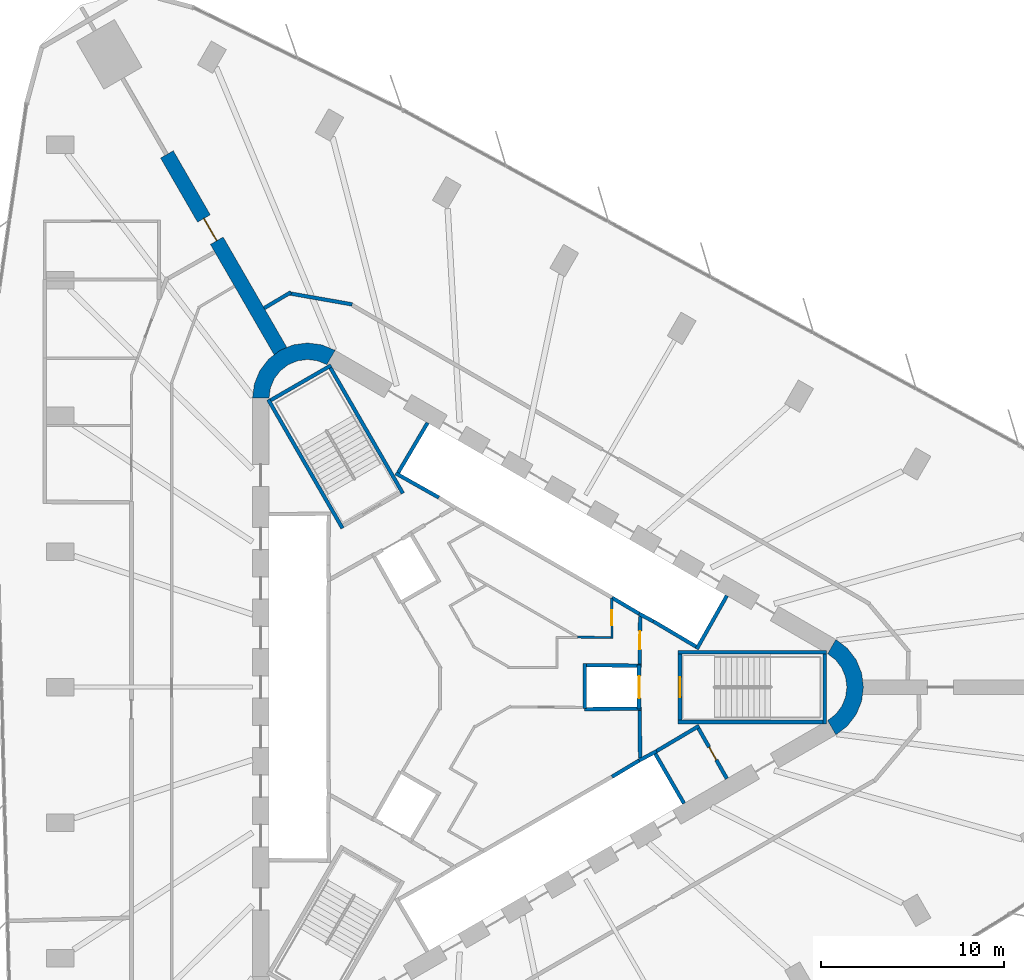
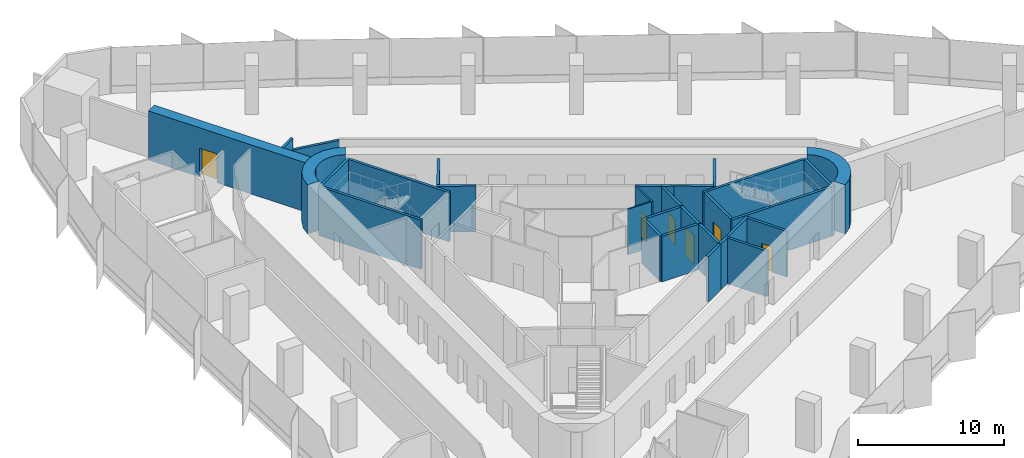
# One storey, part 11 of 14: 31 walls, 6 doors, 6 openings.
"""IFC4 building model written with IfcOpenShell, lengths in metres."""

from ifc_helpers import new_model, si_unit, direction, frame, frame_2d, origin, place, context, subcontext, project, spatial, polyline, rectangle, outline, extrude, material, layer, layer_set, type_object, element, fill, save


model = new_model("IFC4")

# Units and contexts
model_context = context("Model", 3, precision=1e-05, world=origin(), true_north=direction((0.0, 1.0)))
body_context = subcontext(model_context, "Body", "Model", "MODEL_VIEW")
ifc_project = project(units=[si_unit("LENGTHUNIT", "METRE"), si_unit("AREAUNIT", "SQUARE_METRE"), si_unit("VOLUMEUNIT", "CUBIC_METRE"), si_unit("PLANEANGLEUNIT", "RADIAN"), si_unit("MASSUNIT", "GRAM", prefix="KILO")], contexts=[model_context])

# Site, building, storey
site_placement = place(None, origin())
site = spatial("IfcSite", under=ifc_project, at=site_placement, CompositionType="ELEMENT")
building_placement = place(site_placement, origin())
building = spatial("IfcBuilding", under=site, at=building_placement, Name="Tanit Gate Tower", CompositionType="ELEMENT")
storey_placement = place(building_placement, frame((0.0, 0.0, 148.0)))
storey = spatial("IfcBuildingStorey", under=building, at=storey_placement, Name="L32", CompositionType="ELEMENT", Elevation=148.0)

# Wall, opening, door
ifc_material_1 = material(Name="Concrete C60/75", Category="concrete")
ifc_layer_1 = layer(ifc_material_1, 0.800048828125)
ifc_layer_set_1 = layer_set([ifc_layer_1], Name="BUTTRESS FIN 800 C60/75")
wall_type_1 = type_object("IfcWallType", Name="BUTTRESS FIN 800 C60/75", PredefinedType="SHEAR", material=ifc_layer_set_1)
wall_1_placement = place(storey_placement, frame((-10.574951171875, 18.31640625, 0.0), z_axis=(0.0, 0.0, 1.0), x_axis=(-0.500002326941, 0.86602406032, 0.0)))
wall_1 = element("IfcWall", 1, at=wall_1_placement, inside=storey, type_object=wall_type_1, Name="BUTTRESS FIN", PredefinedType="SHEAR", context=body_context, shape_type="SweptSolid", body=[
    extrude(rectangle(XDim=12.3837890625, YDim=0.800048828125, at=frame_2d((6.19189453125, 0.0))), origin(), (0.0, 0.0, 1.0), 4.10009765625),
])
opening_1_placement = place(wall_1_placement, frame((6.949951171875, 0.0, 0.0)))
opening_1 = element("IfcOpeningElement", 2, at=opening_1_placement, cuts=wall_1, Name="Opening P14-S08-F-NW-1", PredefinedType="OPENING", context=body_context, shape_type="SweptSolid", body=[
    extrude(rectangle(XDim=1.39990234375, YDim=2.39990234375, at=frame_2d((0.699951171875, 1.199951171875))), frame((0.0, 0.41015625, 0.0), z_axis=(0.0, -1.0, 0.0), x_axis=(1.0, 0.0, 0.0)), (0.0, 0.0, 1.0), 0.820068359375),
])
ifc_material_2 = material(Name="Timber door leaf", Category="wood")
door_type_1 = type_object("IfcDoorType", Name="INT-DOOR-FIN-PAIR-1400", OperationType="NOTDEFINED", PredefinedType="NOTDEFINED", material=ifc_material_2)
door_1_placement = place(opening_1_placement, origin())
door_1 = element("IfcDoor", 3, at=door_1_placement, inside=storey, type_object=door_type_1, Name="Door P14-S08-F-NW-1", OperationType="DOUBLE_DOOR_SINGLE_SWING", OverallHeight=2.39990234375, OverallWidth=1.39990234375, PredefinedType="NOTDEFINED", context=body_context, shape_type="SweptSolid", body=[
    extrude(rectangle(XDim=1.39990234375, YDim=2.39990234375, at=frame_2d((0.699951171875, 1.199951171875))), frame((0.0, 0.02490234375, 0.0), z_axis=(0.0, -1.0, 0.0), x_axis=(1.0, 0.0, 0.0)), (0.0, 0.0, 1.0), 0.050048828125),
])
fill(opening_1, door_1)

# Walls
ifc_material_3 = material(Name="Concrete C60/75", Category="concrete")
ifc_layer_2 = layer(ifc_material_3, 0.89990234375)
ifc_layer_set_2 = layer_set([ifc_layer_2], Name="CORE WALL 900 C60/75")
wall_type_2 = type_object("IfcWallType", Name="CORE WALL 900 C60/75", PredefinedType="SHEAR", material=ifc_layer_set_2)
wall_2_placement = place(storey_placement, origin())
element("IfcWall", 4, at=wall_2_placement, inside=storey, type_object=wall_type_2, Name="CORE WALL CORNER", PredefinedType="SHEAR", context=body_context, shape_type="SweptSolid", body=[
    extrude(outline(polyline([(-7.60009765625, 18.359619140625), (-8.323486328125, 18.659423828125), (-9.10009765625, 18.76171875), (-9.87646484375, 18.659423828125), (-10.60009765625, 18.359619140625), (-11.22119140625, 17.883056640625), (-11.697998046875, 17.26171875), (-11.997802734375, 16.5380859375), (-12.10009765625, 15.76171875), (-11.199951171875, 15.76171875), (-11.12841796875, 16.30517578125), (-10.918701171875, 16.811767578125), (-10.5849609375, 17.24658203125), (-10.14990234375, 17.580322265625), (-9.6435546875, 17.7900390625), (-9.10009765625, 17.86181640625), (-8.556396484375, 17.7900390625), (-8.050048828125, 17.580322265625), (-7.60009765625, 18.359619140625)])), origin(), (0.0, 0.0, 1.0), 4.10009765625),
])
wall_3_placement = place(storey_placement, origin())
element("IfcWall", 5, at=wall_3_placement, inside=storey, type_object=wall_type_2, Name="CORE WALL CORNER", PredefinedType="SHEAR", context=body_context, shape_type="SweptSolid", body=[
    extrude(outline(polyline([(19.699951171875, -2.59814453125), (20.3212890625, -2.121337890625), (20.798095703125, -1.5), (21.097900390625, -0.776611328125), (21.199951171875, 0.0), (21.097900390625, 0.776611328125), (20.798095703125, 1.5), (20.3212890625, 2.121337890625), (19.699951171875, 2.59814453125), (19.25, 1.818603515625), (19.684814453125, 1.48486328125), (20.018798828125, 1.050048828125), (20.228515625, 0.54345703125), (20.300048828125, 0.0), (20.228515625, -0.54345703125), (20.018798828125, -1.050048828125), (19.684814453125, -1.48486328125), (19.25, -1.818603515625), (19.699951171875, -2.59814453125)])), origin(), (0.0, 0.0, 1.0), 4.10009765625),
])
ifc_material_4 = material(Name="Fire-rated gypsum board partition")
ifc_layer_3 = layer(ifc_material_4, 0.199951171875)
ifc_layer_set_3 = layer_set([ifc_layer_3], Name="INT-WALL-COMPARTMENT")
wall_type_3 = type_object("IfcWallType", Name="INT-WALL-COMPARTMENT", PredefinedType="PARTITIONING", material=ifc_layer_set_3)
wall_4_placement = place(storey_placement, frame((12.244873046875, -2.10888671875, 0.0), z_axis=(0.0, 0.0, 1.0), x_axis=(-0.860414880418, -0.509594185166, 0.0)))
element("IfcWall", 6, at=wall_4_placement, inside=storey, type_object=wall_type_3, Name="Wall Compartment W057", PredefinedType="PARTITIONING", context=body_context, shape_type="SweptSolid", body=[
    extrude(rectangle(XDim=2.7001953125, YDim=0.199951171875, at=frame_2d((1.35009765625, 0.0))), origin(), (0.0, 0.0, 1.0), 3.800048828125),
])

# Wall, opening, door
wall_5_placement = place(storey_placement, frame((13.758056640625, -4.989501953125, 0.0), z_axis=(0.0, 0.0, 1.0), x_axis=(-0.491993409184, 0.87059892334, 0.0)))
wall_5 = element("IfcWall", 7, at=wall_5_placement, inside=storey, type_object=wall_type_3, Name="Wall Compartment W058", PredefinedType="PARTITIONING", context=body_context, shape_type="SweptSolid", body=[
    extrude(rectangle(XDim=3.150146484375, YDim=0.199951171875, at=frame_2d((1.5751953125, 0.0))), origin(), (0.0, 0.0, 1.0), 3.800048828125),
])
opening_2_placement = place(wall_5_placement, frame((1.175048828125, 0.0, 0.0)))
opening_2 = element("IfcOpeningElement", 8, at=opening_2_placement, cuts=wall_5, Name="Opening R08-S08-14", PredefinedType="OPENING", context=body_context, shape_type="SweptSolid", body=[
    extrude(rectangle(XDim=0.800048828125, YDim=2.10009765625, at=frame_2d((0.39990234375, 1.050048828125))), frame((0.0, 0.10986328125, 0.0), z_axis=(0.0, -1.0, 0.0), x_axis=(1.0, 0.0, 0.0)), (0.0, 0.0, 1.0), 0.219970703125),
])
ifc_material_5 = material(Name="Timber door leaf", Category="wood")
door_type_2 = type_object("IfcDoorType", Name="INT-DOOR-RISER-800", OperationType="NOTDEFINED", PredefinedType="USERDEFINED", material=ifc_material_5)
door_2_placement = place(opening_2_placement, origin())
door_2 = element("IfcDoor", 9, at=door_2_placement, inside=storey, type_object=door_type_2, Name="Door R08-S08-14", ObjectType="FIRE DOOR", OperationType="SINGLE_SWING_RIGHT", OverallHeight=2.10009765625, OverallWidth=0.800048828125, PredefinedType="USERDEFINED", context=body_context, shape_type="SweptSolid", body=[
    extrude(rectangle(XDim=0.800048828125, YDim=2.10009765625, at=frame_2d((0.39990234375, 1.050048828125))), frame((0.0, 0.02490234375, 0.0), z_axis=(0.0, -1.0, 0.0), x_axis=(1.0, 0.0, 0.0)), (0.0, 0.0, 1.0), 0.050048828125),
])
fill(opening_2, door_2)

# Wall
wall_6_placement = place(storey_placement, frame((9.02880859375, -3.8505859375, 0.0), z_axis=(0.0, 0.0, 1.0), x_axis=(-0.010784614026, 0.999941844359, 0.0)))
element("IfcWall", 10, at=wall_6_placement, inside=storey, type_object=wall_type_3, Name="Wall Compartment W059", PredefinedType="PARTITIONING", context=body_context, shape_type="SweptSolid", body=[
    extrude(rectangle(XDim=2.580810546875, YDim=0.199951171875, at=frame_2d((1.29052734375, 0.0))), origin(), (0.0, 0.0, 1.0), 3.800048828125),
])

# Wall, opening, door
wall_7_placement = place(storey_placement, frame((9.0009765625, 1.27001953125, 0.0), z_axis=(0.0, 0.0, 1.0), x_axis=(0.010783593937, 0.99994185536, 0.0)))
wall_7 = element("IfcWall", 11, at=wall_7_placement, inside=storey, type_object=wall_type_3, Name="Wall Compartment W060", PredefinedType="PARTITIONING", context=body_context, shape_type="SweptSolid", body=[
    extrude(rectangle(XDim=2.5810546875, YDim=0.199951171875, at=frame_2d((1.29052734375, 0.0))), origin(), (0.0, 0.0, 1.0), 3.800048828125),
])
opening_3_placement = place(wall_7_placement, frame((0.79052734375, 0.0, 0.0)))
opening_3 = element("IfcOpeningElement", 12, at=opening_3_placement, cuts=wall_7, Name="Opening F10-S08-02", PredefinedType="OPENING", context=body_context, shape_type="SweptSolid", body=[
    extrude(rectangle(XDim=1.0, YDim=2.10009765625, at=frame_2d((0.5, 1.050048828125))), frame((0.0, 0.10986328125, 0.0), z_axis=(0.0, -1.0, 0.0), x_axis=(1.0, 0.0, 0.0)), (0.0, 0.0, 1.0), 0.219970703125),
])
ifc_material_6 = material(Name="Fire-rated steel door leaf", Category="steel")
door_type_3 = type_object("IfcDoorType", Name="INT-DOOR-FIRE-1000", OperationType="NOTDEFINED", PredefinedType="USERDEFINED", material=ifc_material_6)
door_3_placement = place(opening_3_placement, origin())
door_3 = element("IfcDoor", 13, at=door_3_placement, inside=storey, type_object=door_type_3, Name="Door F10-S08-02", ObjectType="FIRE DOOR", OperationType="SINGLE_SWING_LEFT", OverallHeight=2.10009765625, OverallWidth=1.0, PredefinedType="USERDEFINED", context=body_context, shape_type="SweptSolid", body=[
    extrude(rectangle(XDim=1.0, YDim=2.10009765625, at=frame_2d((0.5, 1.050048828125))), frame((0.0, 0.02490234375, 0.0), z_axis=(0.0, -1.0, 0.0), x_axis=(1.0, 0.0, 0.0)), (0.0, 0.0, 1.0), 0.050048828125),
])
fill(opening_3, door_3)

# Walls
wall_8_placement = place(storey_placement, frame((-10.00732421875, 21.528564453125, 0.0), z_axis=(0.0, 0.0, 1.0), x_axis=(-0.858379714818, -0.513014878136, 0.0)))
element("IfcWall", 14, at=wall_8_placement, inside=storey, type_object=wall_type_3, Name="Wall Compartment W101", PredefinedType="PARTITIONING", context=body_context, shape_type="SweptSolid", body=[
    extrude(rectangle(XDim=1.697998046875, YDim=0.199951171875, at=frame_2d((0.84912109375, 0.0))), origin(), (0.0, 0.0, 1.0), 3.800048828125),
])
wall_9_placement = place(storey_placement, frame((-6.667236328125, 20.863037109375, 0.0), z_axis=(0.0, 0.0, 1.0), x_axis=(-0.984817805596, 0.173591156977, 0.0)))
element("IfcWall", 15, at=wall_9_placement, inside=storey, type_object=wall_type_3, Name="Wall Compartment W102", PredefinedType="PARTITIONING", context=body_context, shape_type="SweptSolid", body=[
    extrude(rectangle(XDim=3.44287109375, YDim=0.199951171875, at=frame_2d((1.721435546875, 0.0))), origin(), (0.0, 0.0, 1.0), 2.8798828125),
])

# Wall, opening, door
ifc_material_7 = material(Name="Gypsum board partition")
ifc_layer_4 = layer(ifc_material_7, 0.1201171875)
ifc_layer_set_4 = layer_set([ifc_layer_4], Name="INT-WALL-PARTITION")
wall_type_4 = type_object("IfcWallType", Name="INT-WALL-PARTITION", PredefinedType="PARTITIONING", material=ifc_layer_set_4)
wall_10_placement = place(storey_placement, frame((7.500732421875, 2.639892578125, 0.0), z_axis=(0.0, 0.0, 1.0), x_axis=(-0.01174194727, 0.999931060961, 0.0)))
wall_10 = element("IfcWall", 16, at=wall_10_placement, inside=storey, type_object=wall_type_4, Name="Wall Partition W077", PredefinedType="PARTITIONING", context=body_context, shape_type="SweptSolid", body=[
    extrude(rectangle(XDim=2.224853515625, YDim=0.1201171875, at=frame_2d((1.1123046875, 0.0))), origin(), (0.0, 0.0, 1.0), 3.800048828125),
])
opening_4_placement = place(wall_10_placement, frame((0.7421875, 0.0, 0.0)))
opening_4 = element("IfcOpeningElement", 17, at=opening_4_placement, cuts=wall_10, Name="Opening R08-S08-12", PredefinedType="OPENING", context=body_context, shape_type="SweptSolid", body=[
    extrude(rectangle(XDim=0.800048828125, YDim=2.10009765625, at=frame_2d((0.39990234375, 1.050048828125))), frame((0.0, 0.070068359375, 0.0), z_axis=(0.0, -1.0, 0.0), x_axis=(1.0, 0.0, 0.0)), (0.0, 0.0, 1.0), 0.14013671875),
])
door_4_placement = place(opening_4_placement, origin())
door_4 = element("IfcDoor", 18, at=door_4_placement, inside=storey, type_object=door_type_2, Name="Door R08-S08-12", ObjectType="FIRE DOOR", OperationType="SINGLE_SWING_RIGHT", OverallHeight=2.10009765625, OverallWidth=0.800048828125, PredefinedType="USERDEFINED", context=body_context, shape_type="SweptSolid", body=[
    extrude(rectangle(XDim=0.800048828125, YDim=2.10009765625, at=frame_2d((0.39990234375, 1.050048828125))), frame((0.0, 0.02490234375, 0.0), z_axis=(0.0, -1.0, 0.0), x_axis=(1.0, 0.0, 0.0)), (0.0, 0.0, 1.0), 0.050048828125),
])
fill(opening_4, door_4)

# Walls
wall_11_placement = place(storey_placement, frame((5.616943359375, 2.72900390625, 0.0), z_axis=(0.0, 0.0, 1.0), x_axis=(0.999881424181, -0.015399271967, 0.0)))
element("IfcWall", 19, at=wall_11_placement, inside=storey, type_object=wall_type_4, Name="Wall Partition W078", PredefinedType="PARTITIONING", context=body_context, shape_type="SweptSolid", body=[
    extrude(rectangle(XDim=1.8232421875, YDim=0.1201171875, at=frame_2d((0.91162109375, 0.0))), origin(), (0.0, 0.0, 1.0), 3.800048828125),
])
ifc_material_8 = material(Name="Gypsum shaft wall system")
ifc_layer_5 = layer(ifc_material_8, 0.199951171875)
ifc_layer_set_5 = layer_set([ifc_layer_5], Name="INT-WALL-SHAFT")
wall_type_5 = type_object("IfcWallType", Name="INT-WALL-SHAFT", PredefinedType="PLUMBINGWALL", material=ifc_layer_set_5)
wall_12_placement = place(storey_placement, frame((12.10986328125, 2.07275390625, 0.0), z_axis=(0.0, 0.0, 1.0), x_axis=(0.49196600604, 0.870614408852, 0.0)))
element("IfcWall", 20, at=wall_12_placement, inside=storey, type_object=wall_type_5, Name="Wall Shaft W013", PredefinedType="PLUMBINGWALL", context=body_context, shape_type="SweptSolid", body=[
    extrude(rectangle(XDim=3.35009765625, YDim=0.199951171875, at=frame_2d((1.675048828125, 0.0))), origin(), (0.0, 0.0, 1.0), 3.800048828125),
])
wall_13_placement = place(storey_placement, frame((12.072998046875, 2.2109375, 0.0), z_axis=(0.0, 0.0, 1.0), x_axis=(-0.860438357912, 0.509554542943, 0.0)))
element("IfcWall", 21, at=wall_13_placement, inside=storey, type_object=wall_type_5, Name="Wall Shaft W014", PredefinedType="PLUMBINGWALL", context=body_context, shape_type="SweptSolid", body=[
    extrude(rectangle(XDim=2.700439453125, YDim=0.199951171875, at=frame_2d((1.35009765625, 0.0))), origin(), (0.0, 0.0, 1.0), 3.800048828125),
])
wall_14_placement = place(storey_placement, frame((9.74755859375, 3.583251953125, 0.0), z_axis=(0.0, 0.0, 1.0), x_axis=(-0.880917147855, 0.473270513147, 0.0)))
element("IfcWall", 22, at=wall_14_placement, inside=storey, type_object=wall_type_5, Name="Wall Shaft W015", PredefinedType="PLUMBINGWALL", context=body_context, shape_type="SweptSolid", body=[
    extrude(rectangle(XDim=0.8779296875, YDim=0.199951171875, at=frame_2d((0.43896484375, 0.0))), origin(), (0.0, 0.0, 1.0), 3.800048828125),
])
wall_15_placement = place(storey_placement, frame((9.07958984375, 3.93701171875, 0.0), z_axis=(0.0, 0.0, 1.0), x_axis=(-0.859981807212, 0.510324691999, 0.0)))
element("IfcWall", 23, at=wall_15_placement, inside=storey, type_object=wall_type_5, Name="Wall Shaft W016", PredefinedType="PLUMBINGWALL", context=body_context, shape_type="SweptSolid", body=[
    extrude(rectangle(XDim=1.8447265625, YDim=0.199951171875, at=frame_2d((0.92236328125, 0.0))), origin(), (0.0, 0.0, 1.0), 3.800048828125),
])
wall_16_placement = place(storey_placement, frame((-4.296142578125, 11.658935546875, 0.0), z_axis=(0.0, 0.0, 1.0), x_axis=(0.871534483978, -0.490334215854, 0.0)))
element("IfcWall", 24, at=wall_16_placement, inside=storey, type_object=wall_type_5, Name="Wall Shaft W021", PredefinedType="PLUMBINGWALL", context=body_context, shape_type="SweptSolid", body=[
    extrude(rectangle(XDim=2.7001953125, YDim=0.199951171875, at=frame_2d((1.35009765625, 0.0))), origin(), (0.0, 0.0, 1.0), 3.800048828125),
])
wall_17_placement = place(storey_placement, frame((-4.158203125, 11.696044921875, 0.0), z_axis=(0.0, 0.0, 1.0), x_axis=(0.508018930956, 0.861345903683, 0.0)))
element("IfcWall", 25, at=wall_17_placement, inside=storey, type_object=wall_type_5, Name="Wall Shaft W022", PredefinedType="PLUMBINGWALL", context=body_context, shape_type="SweptSolid", body=[
    extrude(rectangle(XDim=3.150146484375, YDim=0.199951171875, at=frame_2d((1.5751953125, 0.0))), origin(), (0.0, 0.0, 1.0), 3.800048828125),
])
wall_18_placement = place(storey_placement, frame((9.794677734375, -3.52490234375, 0.0), z_axis=(0.0, 0.0, 1.0), x_axis=(0.499984717929, -0.866034226713, 0.0)))
element("IfcWall", 26, at=wall_18_placement, inside=storey, type_object=wall_type_5, Name="Wall Shaft W024", PredefinedType="PLUMBINGWALL", context=body_context, shape_type="SweptSolid", body=[
    extrude(rectangle(XDim=3.25, YDim=0.199951171875, at=frame_2d((1.625, 0.0))), origin(), (0.0, 0.0, 1.0), 3.800048828125),
])
wall_19_placement = place(storey_placement, frame((8.97412109375, -3.998779296875, 0.0), z_axis=(0.0, 0.0, 1.0), x_axis=(0.880907015104, 0.473289373154, 0.0)))
element("IfcWall", 27, at=wall_19_placement, inside=storey, type_object=wall_type_5, Name="Wall Shaft W025", PredefinedType="PLUMBINGWALL", context=body_context, shape_type="SweptSolid", body=[
    extrude(rectangle(XDim=1.078125, YDim=0.199951171875, at=frame_2d((0.5390625, 0.0))), origin(), (0.0, 0.0, 1.0), 3.800048828125),
])
wall_20_placement = place(storey_placement, frame((7.497314453125, -4.885986328125, 0.0), z_axis=(0.0, 0.0, 1.0), x_axis=(0.857516281273, 0.51445682749, 0.0)))
element("IfcWall", 28, at=wall_20_placement, inside=storey, type_object=wall_type_5, Name="Wall Shaft W026", PredefinedType="PLUMBINGWALL", context=body_context, shape_type="SweptSolid", body=[
    extrude(rectangle(XDim=1.8447265625, YDim=0.199951171875, at=frame_2d((0.92236328125, 0.0))), origin(), (0.0, 0.0, 1.0), 3.800048828125),
])

# Wall, opening, door
wall_21_placement = place(storey_placement, frame((8.969970703125, 1.199951171875, 0.0), z_axis=(0.0, 0.0, 1.0), x_axis=(0.0, -1.0, 0.0)))
wall_21 = element("IfcWall", 29, at=wall_21_placement, inside=storey, type_object=wall_type_5, Name="Wall Shaft W037", PredefinedType="PLUMBINGWALL", context=body_context, shape_type="SweptSolid", body=[
    extrude(rectangle(XDim=2.39990234375, YDim=0.199951171875, at=frame_2d((1.199951171875, 0.0))), origin(), (0.0, 0.0, 1.0), 3.800048828125),
])
opening_5_placement = place(wall_21_placement, frame((0.60009765625, 0.0, 0.0)))
opening_5 = element("IfcOpeningElement", 30, at=opening_5_placement, cuts=wall_21, Name="Opening LDFL1-L32", PredefinedType="OPENING", context=body_context, shape_type="SweptSolid", body=[
    extrude(rectangle(XDim=1.199951171875, YDim=2.39990234375, at=frame_2d((0.60009765625, 1.199951171875))), frame((0.0, 0.10986328125, 0.0), z_axis=(0.0, -1.0, 0.0), x_axis=(1.0, 0.0, 0.0)), (0.0, 0.0, 1.0), 0.219970703125),
])
ifc_material_9 = material(Name="Stainless steel sliding door leaf", Category="steel")
door_type_4 = type_object("IfcDoorType", Name="INT-DOOR-LANDING-1200", OperationType="NOTDEFINED", PredefinedType="USERDEFINED", material=ifc_material_9)
door_5_placement = place(opening_5_placement, origin())
door_5 = element("IfcDoor", 31, at=door_5_placement, inside=storey, type_object=door_type_4, Name="Door LDFL1-L32", ObjectType="LANDING DOOR", OperationType="SLIDING_TO_LEFT", OverallHeight=2.39990234375, OverallWidth=1.199951171875, PredefinedType="USERDEFINED", context=body_context, shape_type="SweptSolid", body=[
    extrude(rectangle(XDim=1.199951171875, YDim=2.39990234375, at=frame_2d((0.60009765625, 1.199951171875))), frame((0.0, 0.02490234375, 0.0), z_axis=(0.0, -1.0, 0.0), x_axis=(1.0, 0.0, 0.0)), (0.0, 0.0, 1.0), 0.050048828125),
])
fill(opening_5, door_5)

# Walls
wall_22_placement = place(storey_placement, frame((9.10009765625, -1.1689453125, 0.0), z_axis=(0.0, 0.0, 1.0), x_axis=(-0.999949988, -0.010001074852, 0.0)))
element("IfcWall", 32, at=wall_22_placement, inside=storey, type_object=wall_type_5, Name="Wall Shaft W038", PredefinedType="PLUMBINGWALL", context=body_context, shape_type="SweptSolid", body=[
    extrude(rectangle(XDim=3.100341796875, YDim=0.199951171875, at=frame_2d((1.55029296875, 0.0))), origin(), (0.0, 0.0, 1.0), 3.800048828125),
])
wall_23_placement = place(storey_placement, frame((6.0, -1.16455078125, 0.0), z_axis=(0.0, 0.0, 1.0), x_axis=(0.0, 1.0, 0.0)))
element("IfcWall", 33, at=wall_23_placement, inside=storey, type_object=wall_type_5, Name="Wall Shaft W039", PredefinedType="PLUMBINGWALL", context=body_context, shape_type="SweptSolid", body=[
    extrude(rectangle(XDim=2.464599609375, YDim=0.199951171875, at=frame_2d((1.232421875, 0.0))), origin(), (0.0, 0.0, 1.0), 3.800048828125),
])
wall_24_placement = place(storey_placement, frame((9.10009765625, 1.1689453125, 0.0), z_axis=(0.0, 0.0, 1.0), x_axis=(-0.99994990606, 0.010009264196, 0.0)))
element("IfcWall", 34, at=wall_24_placement, inside=storey, type_object=wall_type_5, Name="Wall Shaft W040", PredefinedType="PLUMBINGWALL", context=body_context, shape_type="SweptSolid", body=[
    extrude(rectangle(XDim=3.000244140625, YDim=0.199951171875, at=frame_2d((1.5, 0.0))), origin(), (0.0, 0.0, 1.0), 3.800048828125),
])
ifc_material_10 = material(Name="Concrete C40/50", Category="concrete")
ifc_layer_6 = layer(ifc_material_10, 0.199951171875)
ifc_layer_set_6 = layer_set([ifc_layer_6], Name="INT-WALL-STAIR")
wall_type_6 = type_object("IfcWallType", Name="INT-WALL-STAIR", PredefinedType="SHEAR", material=ifc_layer_set_6)
wall_25_placement = place(storey_placement, frame((19.199951171875, 1.89990234375, -0.300048828125), z_axis=(0.0, 0.0, 1.0), x_axis=(-1.0, 0.0, 0.0)))
element("IfcWall", 35, at=wall_25_placement, inside=storey, type_object=wall_type_6, Name="Wall Stair W033", PredefinedType="SHEAR", context=body_context, shape_type="SweptSolid", body=[
    extrude(rectangle(XDim=8.099853515625, YDim=0.199951171875, at=frame_2d((4.0498046875, 0.0))), origin(), (0.0, 0.0, 1.0), 4.10009765625),
])
wall_26_placement = place(storey_placement, frame((19.10009765625, -2.0, -0.300048828125), z_axis=(0.0, 0.0, 1.0), x_axis=(0.0, 1.0, 0.0)))
element("IfcWall", 36, at=wall_26_placement, inside=storey, type_object=wall_type_6, Name="Wall Stair W034", PredefinedType="SHEAR", context=body_context, shape_type="SweptSolid", body=[
    extrude(rectangle(XDim=3.800048828125, YDim=0.199951171875, at=frame_2d((1.89990234375, 0.0))), origin(), (0.0, 0.0, 1.0), 4.10009765625),
])
wall_27_placement = place(storey_placement, frame((11.10009765625, -1.89990234375, -0.300048828125), z_axis=(0.0, 0.0, 1.0), x_axis=(1.0, 0.0, 0.0)))
element("IfcWall", 37, at=wall_27_placement, inside=storey, type_object=wall_type_6, Name="Wall Stair W035", PredefinedType="SHEAR", context=body_context, shape_type="SweptSolid", body=[
    extrude(rectangle(XDim=7.89990234375, YDim=0.199951171875, at=frame_2d((3.949951171875, 0.0))), origin(), (0.0, 0.0, 1.0), 4.10009765625),
])

# Wall, opening, door
wall_28_placement = place(storey_placement, frame((11.199951171875, -1.800048828125, -0.300048828125), z_axis=(0.0, 0.0, 1.0), x_axis=(0.0, 1.0, 0.0)))
wall_28 = element("IfcWall", 38, at=wall_28_placement, inside=storey, type_object=wall_type_6, Name="Wall Stair W036", PredefinedType="SHEAR", context=body_context, shape_type="SweptSolid", body=[
    extrude(rectangle(XDim=3.60009765625, YDim=0.199951171875, at=frame_2d((1.800048828125, 0.0))), origin(), (0.0, 0.0, 1.0), 4.10009765625),
])
opening_6_placement = place(wall_28_placement, frame((1.25, 0.0, 0.300048828125)))
opening_6 = element("IfcOpeningElement", 39, at=opening_6_placement, cuts=wall_28, Name="Opening S11-S08-01", PredefinedType="OPENING", context=body_context, shape_type="SweptSolid", body=[
    extrude(rectangle(XDim=1.10009765625, YDim=2.10009765625, at=frame_2d((0.550048828125, 1.050048828125))), frame((0.0, 0.10986328125, 0.0), z_axis=(0.0, -1.0, 0.0), x_axis=(1.0, 0.0, 0.0)), (0.0, 0.0, 1.0), 0.219970703125),
])
ifc_material_11 = material(Name="Timber door leaf", Category="wood")
door_type_5 = type_object("IfcDoorType", Name="INT-DOOR-STAIR-1100", OperationType="NOTDEFINED", PredefinedType="USERDEFINED", material=ifc_material_11)
door_6_placement = place(opening_6_placement, origin())
door_6 = element("IfcDoor", 40, at=door_6_placement, inside=storey, type_object=door_type_5, Name="Door S11-S08-01", ObjectType="FIRE DOOR", OperationType="SINGLE_SWING_RIGHT", OverallHeight=2.10009765625, OverallWidth=1.10009765625, PredefinedType="USERDEFINED", context=body_context, shape_type="SweptSolid", body=[
    extrude(rectangle(XDim=1.10009765625, YDim=2.10009765625, at=frame_2d((0.550048828125, 1.050048828125))), frame((0.0, 0.02490234375, 0.0), z_axis=(0.0, -1.0, 0.0), x_axis=(1.0, 0.0, 0.0)), (0.0, 0.0, 1.0), 0.050048828125),
])
fill(opening_6, door_6)

# Walls
wall_29_placement = place(storey_placement, frame((-11.245361328125, 15.677734375, -0.300048828125), z_axis=(0.0, 0.0, 1.0), x_axis=(0.499977274689, -0.866038523851, 0.0)))
element("IfcWall", 41, at=wall_29_placement, inside=storey, type_object=wall_type_6, Name="Wall Stair W041", PredefinedType="SHEAR", context=body_context, shape_type="SweptSolid", body=[
    extrude(rectangle(XDim=8.10009765625, YDim=0.199951171875, at=frame_2d((4.050048828125, 0.0))), origin(), (0.0, 0.0, 1.0), 4.10009765625),
])
wall_30_placement = place(storey_placement, frame((-7.81787109375, 17.541015625, -0.300048828125), z_axis=(0.0, 0.0, 1.0), x_axis=(-0.866044365799, -0.499967155389, 0.0)))
element("IfcWall", 42, at=wall_30_placement, inside=storey, type_object=wall_type_6, Name="Wall Stair W042", PredefinedType="SHEAR", context=body_context, shape_type="SweptSolid", body=[
    extrude(rectangle(XDim=3.800048828125, YDim=0.199951171875, at=frame_2d((1.89990234375, 0.0))), origin(), (0.0, 0.0, 1.0), 4.10009765625),
])
wall_31_placement = place(storey_placement, frame((-7.8544921875, 17.404541015625, -0.300048828125), z_axis=(0.0, 0.0, 1.0), x_axis=(0.499997992926, -0.866026562566, 0.0)))
element("IfcWall", 43, at=wall_31_placement, inside=storey, type_object=wall_type_6, Name="Wall Stair W043", PredefinedType="SHEAR", context=body_context, shape_type="SweptSolid", body=[
    extrude(rectangle(XDim=7.89990234375, YDim=0.199951171875, at=frame_2d((3.949951171875, 0.0))), origin(), (0.0, 0.0, 1.0), 4.10009765625),
])

save(model, "model.ifc")
